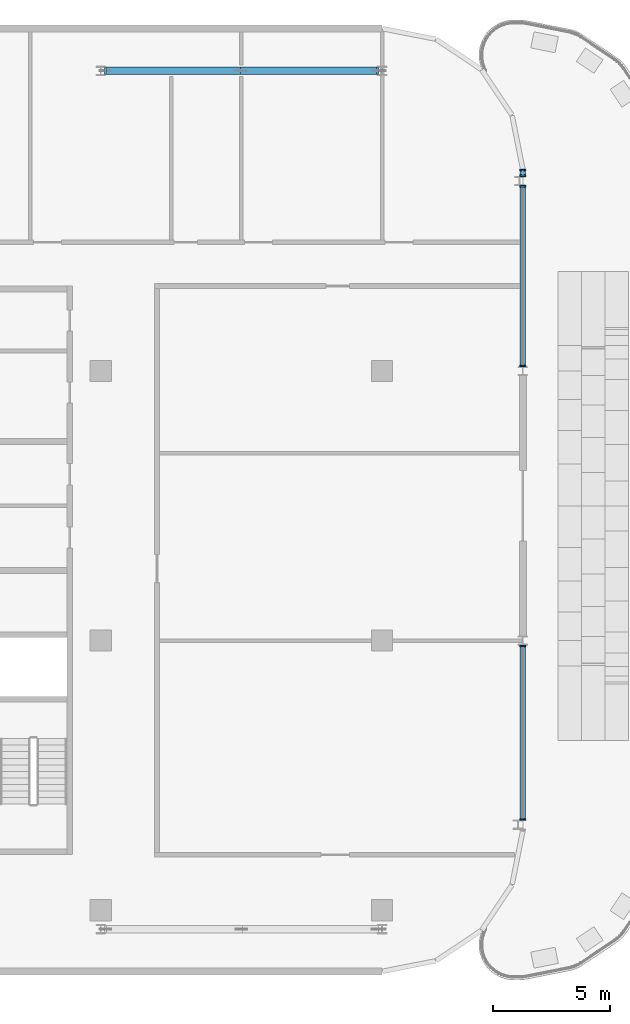
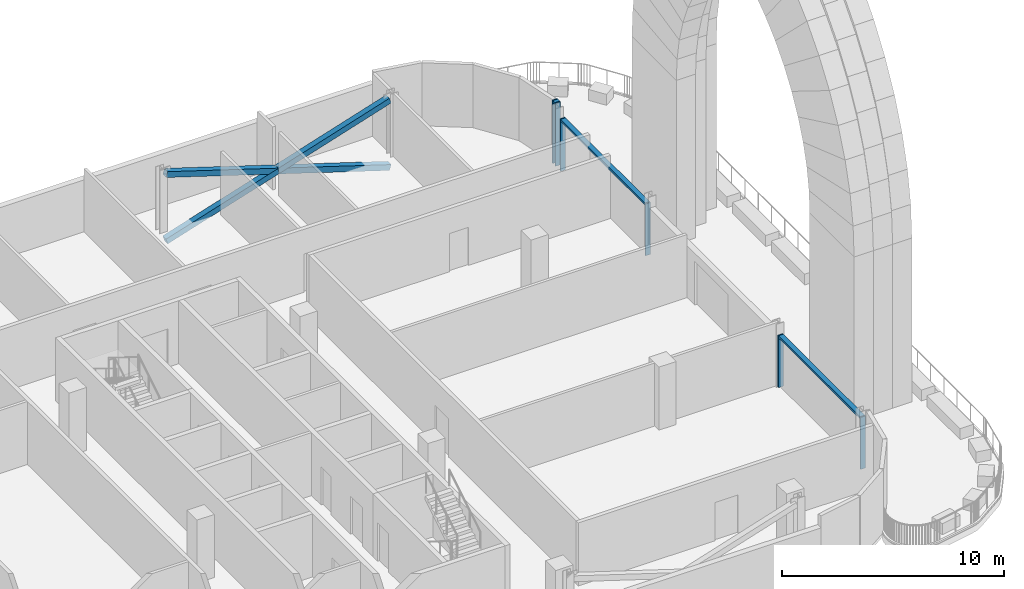
# One storey, part 9 of 30: 12 members, 3 elements without a shape of their own.
"""IFC4 building model written with IfcOpenShell, lengths in metres."""

from ifc_helpers import new_model, si_unit, direction, frame, origin, origin_2d, place, context, subcontext, project, spatial, rectangle, hollow_rectangle, extrude, material, material_profile, profile_set, type_object, element, aggregate, save


model = new_model("IFC4")

# Units and contexts
model_context = context("Model", 3, precision=1e-05, world=origin(), true_north=direction((0.0, 1.0)))
body_context = subcontext(model_context, "Body", "Model", "MODEL_VIEW")
ifc_project = project(units=[si_unit("LENGTHUNIT", "METRE"), si_unit("AREAUNIT", "SQUARE_METRE"), si_unit("VOLUMEUNIT", "CUBIC_METRE"), si_unit("PLANEANGLEUNIT", "RADIAN"), si_unit("MASSUNIT", "GRAM", prefix="KILO")], contexts=[model_context])

# Site, building, storey
site_placement = place(None, origin())
site = spatial("IfcSite", under=ifc_project, at=site_placement, CompositionType="ELEMENT")
building_placement = place(site_placement, origin())
building = spatial("IfcBuilding", under=site, at=building_placement, Name="Mahtab Terrace Research Tower", CompositionType="ELEMENT")
storey_placement = place(building_placement, frame((0.0, 0.0, 263.300048828125)))
storey = spatial("IfcBuildingStorey", under=building, at=storey_placement, Name="L64", CompositionType="ELEMENT", Elevation=263.300048828125)

# Members
ifc_material_1 = material(Name="Steel ASTM A500 Gr C", Category="steel")
ifc_material_profile_1 = material_profile(ifc_material_1, hollow_rectangle(XDim=0.3046875, YDim=0.3046875, WallThickness=0.015869140625, at=origin_2d()), Name="HSS12X12X5/8")
ifc_profile_set_1 = profile_set([ifc_material_profile_1], Name="Steel ASTM A500 Gr C")
member_type_1 = type_object("IfcMemberType", Name="HSS 12x12x5/8 brace XB121258", PredefinedType="BRACE", material=ifc_profile_set_1)
member_1_placement = place(storey_placement, frame((41.80322265625, 24.306884765625, -0.581298828125), z_axis=(-0.953344149173, 0.0, 0.301885629399), x_axis=(0.0, -1.0, 0.0)))
element("IfcMember", 1, at=member_1_placement, inside=storey, type_object=member_type_1, Name="Exoskeleton brace L64 02 a", PredefinedType="BRACE", context=body_context, shape_type="SweptSolid", body=[
    extrude(hollow_rectangle(XDim=0.3046875, YDim=0.3046875, WallThickness=0.015869140625, at=origin_2d()), origin(), (0.0, 0.0, 1.0), 12.174560546875),
])
for number, where, z_axis, x_axis, name in (
    (2, (30.19677734375, 24.306884765625, -0.581298828125), (0.953344149173, 0.0, 0.301885629399), (0.0, 1.0, 0.0), "Exoskeleton brace L64 02 b1"),
    (3, (36.0, 24.306884765625, 1.25634765625), (0.953344149173, 0.0, 0.301885629399), (0.0, 1.0, 0.0), "Exoskeleton brace L64 02 b2"),
):
    element("IfcMember", number, at=place(storey_placement, frame(where, z_axis=z_axis, x_axis=x_axis)), inside=storey, type_object=member_type_1, Name=name, PredefinedType="BRACE", context=body_context, shape_type="SweptSolid", body=[
        extrude(hollow_rectangle(XDim=0.3046875, YDim=0.3046875, WallThickness=0.015869140625, at=origin_2d()), origin(), (0.0, 0.0, 1.0), 6.087158203125),
    ])

# Curtain wall, members
ifc_material_2 = material(Name="Sky lounge full-height curtain wall")
curtain_wall_type = type_object("IfcCurtainWallType", Name="Sky lounge full-height curtain wall", PredefinedType="NOTDEFINED", material=ifc_material_2)
curtain_wall_1_placement = place(storey_placement, origin())
curtain_wall_1 = element("IfcCurtainWall", 4, at=curtain_wall_1_placement, inside=storey, type_object=curtain_wall_type, Name="EN.L64.18.22", PredefinedType="NOTDEFINED")
ifc_material_3 = material(Name="Natural anodised aluminium", Category="aluminium")
ifc_material_profile_2 = material_profile(ifc_material_3, rectangle(XDim=0.25, YDim=0.070068359375, at=origin_2d()), Name="MULLION 70x250")
ifc_profile_set_2 = profile_set([ifc_material_profile_2], Name="Natural anodised aluminium")
member_type_2 = type_object("IfcMemberType", Name="Sky lounge full-height curtain wall mullion", PredefinedType="MULLION", material=ifc_profile_set_2)
member_2_placement = place(storey_placement, frame((48.0, -7.625, 0.0), z_axis=(0.0, 0.0, 1.0), x_axis=(-1.0, 0.0, 0.0)))
member_2 = element("IfcMember", 5, at=member_2_placement, type_object=member_type_2, Name="CWS-8 mullion 1", PredefinedType="MULLION", context=body_context, shape_type="SweptSolid", body=[
    extrude(rectangle(XDim=0.25, YDim=0.070068359375, at=origin_2d()), origin(), (0.0, 0.0, 1.0), 2.852783203125),
])
member_3_placement = place(storey_placement, frame((48.0, -0.222900390625, 0.0), z_axis=(0.0, 0.0, 1.0), x_axis=(-1.0, 0.0, 0.0)))
member_3 = element("IfcMember", 6, at=member_3_placement, type_object=member_type_2, Name="CWS-8 mullion 2", PredefinedType="MULLION", context=body_context, shape_type="SweptSolid", body=[
    extrude(rectangle(XDim=0.25, YDim=0.070068359375, at=origin_2d()), origin(), (0.0, 0.0, 1.0), 2.852783203125),
])

curtain_wall_2_placement = place(storey_placement, origin())
curtain_wall_2 = element("IfcCurtainWall", 7, at=curtain_wall_2_placement, inside=storey, type_object=curtain_wall_type, Name="EN.L64.18.24", PredefinedType="NOTDEFINED")
member_4_placement = place(storey_placement, frame((48.0, 11.722900390625, 0.0), z_axis=(0.0, 0.0, 1.0), x_axis=(-1.0, 0.0, 0.0)))
member_4 = element("IfcMember", 8, at=member_4_placement, type_object=member_type_2, Name="CWS-8 mullion 1", PredefinedType="MULLION", context=body_context, shape_type="SweptSolid", body=[
    extrude(rectangle(XDim=0.25, YDim=0.070068359375, at=origin_2d()), origin(), (0.0, 0.0, 1.0), 2.852783203125),
])
member_5_placement = place(storey_placement, frame((48.0, 19.382080078125, 0.0), z_axis=(0.0, 0.0, 1.0), x_axis=(-1.0, 0.0, 0.0)))
member_5 = element("IfcMember", 9, at=member_5_placement, type_object=member_type_2, Name="CWS-8 mullion 2", PredefinedType="MULLION", context=body_context, shape_type="SweptSolid", body=[
    extrude(rectangle(XDim=0.25, YDim=0.070068359375, at=origin_2d()), origin(), (0.0, 0.0, 1.0), 2.852783203125),
])

curtain_wall_3_placement = place(storey_placement, origin())
curtain_wall_3 = element("IfcCurtainWall", 10, at=curtain_wall_3_placement, inside=storey, type_object=curtain_wall_type, Name="EN.L64.18.25", PredefinedType="NOTDEFINED")
member_6_placement = place(storey_placement, frame((48.0, 19.827880859375, 0.0), z_axis=(0.0, 0.0, 1.0), x_axis=(-1.0, 0.0, 0.0)))
member_6 = element("IfcMember", 11, at=member_6_placement, type_object=member_type_2, Name="CWS-8 mullion 1", PredefinedType="MULLION", context=body_context, shape_type="SweptSolid", body=[
    extrude(rectangle(XDim=0.25, YDim=0.070068359375, at=origin_2d()), origin(), (0.0, 0.0, 1.0), 3.4599609375),
])
member_7_placement = place(storey_placement, frame((48.0, 20.076904296875, 0.0), z_axis=(0.0, 0.0, 1.0), x_axis=(-1.0, 0.0, 0.0)))
member_7 = element("IfcMember", 12, at=member_7_placement, type_object=member_type_2, Name="CWS-8 mullion 2", PredefinedType="MULLION", context=body_context, shape_type="SweptSolid", body=[
    extrude(rectangle(XDim=0.25, YDim=0.070068359375, at=origin_2d()), origin(), (0.0, 0.0, 1.0), 3.4599609375),
])

# Member
ifc_material_profile_3 = material_profile(ifc_material_3, rectangle(XDim=0.25, YDim=0.1201171875, at=origin_2d()), Name="TRANSOM 120x250")
ifc_profile_set_3 = profile_set([ifc_material_profile_3], Name="Natural anodised aluminium")
member_type_3 = type_object("IfcMemberType", Name="Sky lounge full-height curtain wall transom", PredefinedType="USERDEFINED", material=ifc_profile_set_3)
member_8_placement = place(storey_placement, frame((48.0, -7.590087890625, 2.79296875), z_axis=(0.0, 1.0, 0.0), x_axis=(-1.0, 0.0, 0.0)))
member_8 = element("IfcMember", 13, at=member_8_placement, type_object=member_type_3, Name="CWS-8 transom 1", ObjectType="TRANSOM", PredefinedType="USERDEFINED", context=body_context, shape_type="SweptSolid", body=[
    extrude(rectangle(XDim=0.25, YDim=0.1201171875, at=origin_2d()), origin(), (0.0, 0.0, 1.0), 7.33203125),
])

aggregate(curtain_wall_1, [member_2, member_3, member_8])

member_9_placement = place(storey_placement, frame((48.0, 11.758056640625, 2.79296875), z_axis=(0.0, 1.0, 0.0), x_axis=(-1.0, 0.0, 0.0)))
member_9 = element("IfcMember", 14, at=member_9_placement, type_object=member_type_3, Name="CWS-8 transom 1", ObjectType="TRANSOM", PredefinedType="USERDEFINED", context=body_context, shape_type="SweptSolid", body=[
    extrude(rectangle(XDim=0.25, YDim=0.1201171875, at=origin_2d()), origin(), (0.0, 0.0, 1.0), 7.5888671875),
])

aggregate(curtain_wall_2, [member_4, member_5, member_9])

member_10_placement = place(storey_placement, frame((48.0, 19.863037109375, 3.39990234375), z_axis=(0.0, 1.0, 0.0), x_axis=(-1.0, 0.0, 0.0)))
member_10 = element("IfcMember", 15, at=member_10_placement, type_object=member_type_3, Name="CWS-8 transom 1", ObjectType="TRANSOM", PredefinedType="USERDEFINED", context=body_context, shape_type="SweptSolid", body=[
    extrude(rectangle(XDim=0.25, YDim=0.1201171875, at=origin_2d()), origin(), (0.0, 0.0, 1.0), 0.178955078125),
])

aggregate(curtain_wall_3, [member_6, member_7, member_10])

save(model, "model.ifc")
